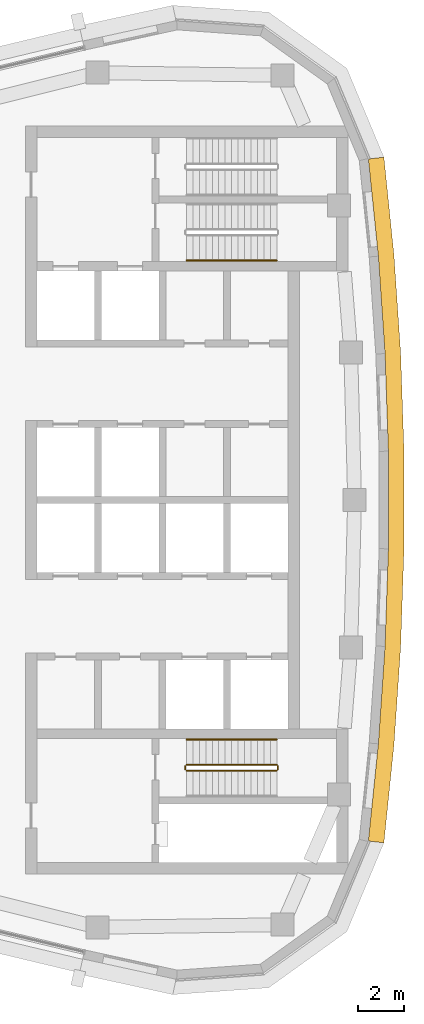
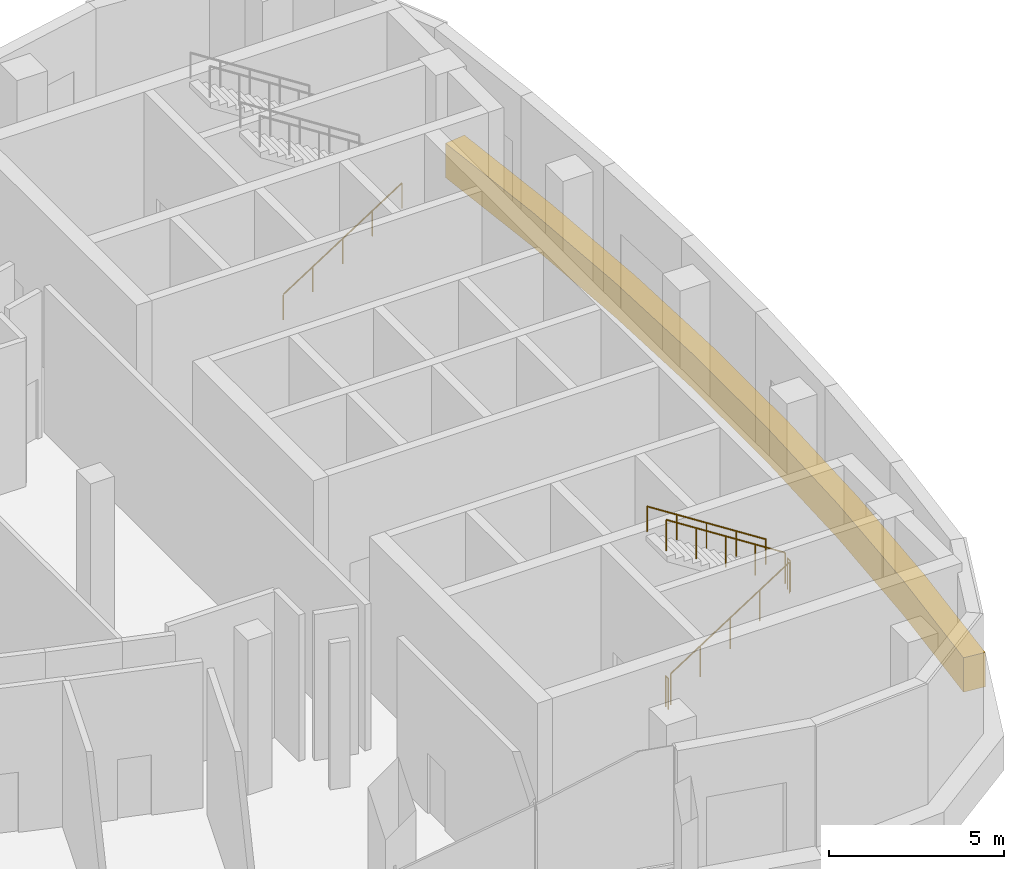
# One storey, part 12 of 15: 6 railings, 1 covering.
"""IFC4 building model written with IfcOpenShell, lengths in metres."""

from ifc_helpers import new_model, si_unit, direction, frame, origin, origin_2d, place, context, subcontext, project, spatial, polyline, circle, outline, extrude, material, layer, layer_set, type_object, element, save


model = new_model("IFC4")

# Units and contexts
model_context = context("Model", 3, precision=1e-05, world=origin(), true_north=direction((0.0, 1.0)))
body_context = subcontext(model_context, "Body", "Model", "MODEL_VIEW")
ifc_project = project(units=[si_unit("LENGTHUNIT", "METRE"), si_unit("AREAUNIT", "SQUARE_METRE"), si_unit("VOLUMEUNIT", "CUBIC_METRE"), si_unit("PLANEANGLEUNIT", "RADIAN"), si_unit("MASSUNIT", "GRAM", prefix="KILO")], contexts=[model_context])

# Site, building, storey
site_placement = place(None, origin())
site = spatial("IfcSite", under=ifc_project, at=site_placement, CompositionType="ELEMENT")
building_placement = place(site_placement, origin())
building = spatial("IfcBuilding", under=site, at=building_placement, Name="Ostrand Prow Hotel Tower", CompositionType="ELEMENT")
storey_placement = place(building_placement, frame((0.0, 0.0, 313.199951171875)))
storey = spatial("IfcBuildingStorey", under=building, at=storey_placement, Name="C2", CompositionType="ELEMENT", Elevation=313.199951171875)

# Covering
ifc_material_1 = material(Name="Bronze anodised aluminium cladding", Category="aluminium")
ifc_layer = layer(ifc_material_1, 0.60009765625)
ifc_layer_set = layer_set([ifc_layer], Name="Bronze anodised aluminium cladding")
covering_type = type_object("IfcCoveringType", Name="Bronze spandrel band 1200x600", PredefinedType="CLADDING", material=ifc_layer_set)
covering_placement = place(storey_placement, frame((0.0, 0.0, -0.300048828125)))
element("IfcCovering", 1, at=covering_placement, inside=storey, type_object=covering_type, Name="Spandrel band back 3", PredefinedType="CLADDING", context=body_context, shape_type="SweptSolid", body=[
    extrude(outline(polyline([(65.77197265625, -14.887451171875), (66.2080078125, -10.646240234375), (66.498779296875, -6.392822265625), (66.644287109375, -2.131591796875), (66.644287109375, 2.131591796875), (66.498779296875, 6.392822265625), (66.2080078125, 10.646240234375), (65.77197265625, 14.887451171875), (65.0966796875, 14.806396484375), (65.530517578125, 10.58837890625), (65.819580078125, 6.35791015625), (65.964599609375, 2.1201171875), (65.964599609375, -2.1201171875), (65.819580078125, -6.35791015625), (65.530517578125, -10.58837890625), (65.0966796875, -14.806396484375), (65.77197265625, -14.887451171875)])), origin(), (0.0, 0.0, 1.0), 1.2001953125),
])

# Railings
ifc_material_2 = material(Name="Painted steel", Category="steel")
railing_type_1 = type_object("IfcRailingType", Name="Stair guard 1100", PredefinedType="GUARDRAIL", material=ifc_material_2)
railing_1_placement = place(storey_placement, frame((57.199951171875, -11.75, 0.179931640625)))
element("IfcRailing", 2, at=railing_1_placement, inside=storey, type_object=railing_type_1, Name="C2 ST2C stair guard 1", PredefinedType="GUARDRAIL", context=body_context, shape_type="SweptSolid", body=[
    extrude(circle(Radius=0.02392578125, at=origin_2d()), frame((0.0, 0.0, 1.076171875), z_axis=(0.841186985886, 0.0, 0.540744352514), x_axis=(0.0, 1.0, 0.0)), (0.0, 0.0, 1.0), 4.660400390625),
    extrude(circle(Radius=0.02099609375, at=origin_2d()), origin(), (0.0, 0.0, 1.0), 1.052001953125),
    extrude(circle(Radius=0.02099609375, at=origin_2d()), frame((0.97998046875, 0.0, 0.6298828125)), (0.0, 0.0, 1.0), 1.052001953125),
    extrude(circle(Radius=0.02099609375, at=origin_2d()), frame((1.9599609375, 0.0, 1.260009765625)), (0.0, 0.0, 1.0), 1.052001953125),
    extrude(circle(Radius=0.02099609375, at=origin_2d()), frame((2.940185546875, 0.0, 1.89013671875)), (0.0, 0.0, 1.0), 1.052001953125),
    extrude(circle(Radius=0.02099609375, at=origin_2d()), frame((3.920166015625, 0.0, 2.52001953125)), (0.0, 0.0, 1.0), 1.052001953125),
])
railing_2_placement = place(storey_placement, frame((61.169921875, -11.699951171875, 2.699951171875)))
element("IfcRailing", 3, at=railing_2_placement, inside=storey, type_object=railing_type_1, Name="C2 ST2C stair guard 2", PredefinedType="GUARDRAIL", context=body_context, shape_type="SweptSolid", body=[
    extrude(circle(Radius=0.02392578125, at=origin_2d()), frame((0.0, 0.0, 1.076171875), z_axis=(0.0, 1.0, 0.0), x_axis=(-1.0, 0.0, 0.0)), (0.0, 0.0, 1.0), 0.14990234375),
    extrude(circle(Radius=0.02099609375, at=origin_2d()), origin(), (0.0, 0.0, 1.0), 1.052001953125),
    extrude(circle(Radius=0.02099609375, at=origin_2d()), frame((0.0, 0.14990234375, 0.0)), (0.0, 0.0, 1.0), 1.052001953125),
])
railing_3_placement = place(storey_placement, frame((61.1201171875, -11.5, 2.880126953125)))
element("IfcRailing", 4, at=railing_3_placement, inside=storey, type_object=railing_type_1, Name="C2 ST2C stair guard 3", PredefinedType="GUARDRAIL", context=body_context, shape_type="SweptSolid", body=[
    extrude(circle(Radius=0.02392578125, at=origin_2d()), frame((0.0, 0.0, 1.076171875), z_axis=(-0.841186985886, 0.0, 0.540744352514), x_axis=(0.0, -1.0, 0.0)), (0.0, 0.0, 1.0), 4.660400390625),
    extrude(circle(Radius=0.02099609375, at=origin_2d()), origin(), (0.0, 0.0, 1.0), 1.052001953125),
    extrude(circle(Radius=0.02099609375, at=origin_2d()), frame((-0.97998046875, 0.0, 0.6298828125)), (0.0, 0.0, 1.0), 1.052001953125),
    extrude(circle(Radius=0.02099609375, at=origin_2d()), frame((-1.9599609375, 0.0, 1.260009765625)), (0.0, 0.0, 1.0), 1.052001953125),
    extrude(circle(Radius=0.02099609375, at=origin_2d()), frame((-2.940185546875, 0.0, 1.89013671875)), (0.0, 0.0, 1.0), 1.052001953125),
    extrude(circle(Radius=0.02099609375, at=origin_2d()), frame((-3.920166015625, 0.0, 2.52001953125)), (0.0, 0.0, 1.0), 1.052001953125),
])
railing_4_placement = place(storey_placement, frame((57.14990234375, -11.699951171875, 0.0)))
element("IfcRailing", 5, at=railing_4_placement, inside=storey, type_object=railing_type_1, Name="C2 ST2C stair guard 4", PredefinedType="GUARDRAIL", context=body_context, shape_type="SweptSolid", body=[
    extrude(circle(Radius=0.02392578125, at=origin_2d()), frame((0.0, 0.0, 1.076171875), z_axis=(0.0, 1.0, 0.0), x_axis=(-1.0, 0.0, 0.0)), (0.0, 0.0, 1.0), 0.14990234375),
    extrude(circle(Radius=0.02099609375, at=origin_2d()), origin(), (0.0, 0.0, 1.0), 1.052001953125),
    extrude(circle(Radius=0.02099609375, at=origin_2d()), frame((0.0, 0.14990234375, 0.0)), (0.0, 0.0, 1.0), 1.052001953125),
])
ifc_material_3 = material(Name="Stainless steel", Category="steel")
railing_type_2 = type_object("IfcRailingType", Name="Stair handrail 900", PredefinedType="HANDRAIL", material=ifc_material_3)
railing_5_placement = place(storey_placement, frame((57.199951171875, 10.39990234375, 0.179931640625)))
element("IfcRailing", 6, at=railing_5_placement, inside=storey, type_object=railing_type_2, Name="C2 ST1C stair handrail 1", PredefinedType="HANDRAIL", context=body_context, shape_type="SweptSolid", body=[
    extrude(circle(Radius=0.02392578125, at=origin_2d()), frame((0.0, 0.0, 0.8759765625), z_axis=(0.841186985886, 0.0, 0.540744352514), x_axis=(0.0, 1.0, 0.0)), (0.0, 0.0, 1.0), 4.660400390625),
    extrude(circle(Radius=0.02099609375, at=origin_2d()), origin(), (0.0, 0.0, 1.0), 0.851806640625),
    extrude(circle(Radius=0.02099609375, at=origin_2d()), frame((0.97998046875, 0.0, 0.6298828125)), (0.0, 0.0, 1.0), 0.851806640625),
    extrude(circle(Radius=0.02099609375, at=origin_2d()), frame((1.9599609375, 0.0, 1.260009765625)), (0.0, 0.0, 1.0), 0.851806640625),
    extrude(circle(Radius=0.02099609375, at=origin_2d()), frame((2.940185546875, 0.0, 1.89013671875)), (0.0, 0.0, 1.0), 0.851806640625),
    extrude(circle(Radius=0.02099609375, at=origin_2d()), frame((3.920166015625, 0.0, 2.52001953125)), (0.0, 0.0, 1.0), 0.851806640625),
])
railing_6_placement = place(storey_placement, frame((61.1201171875, -10.39990234375, 2.880126953125)))
element("IfcRailing", 7, at=railing_6_placement, inside=storey, type_object=railing_type_2, Name="C2 ST2C stair handrail 2", PredefinedType="HANDRAIL", context=body_context, shape_type="SweptSolid", body=[
    extrude(circle(Radius=0.02392578125, at=origin_2d()), frame((0.0, 0.0, 0.8759765625), z_axis=(-0.841186985886, 0.0, 0.540744352514), x_axis=(0.0, -1.0, 0.0)), (0.0, 0.0, 1.0), 4.660400390625),
    extrude(circle(Radius=0.02099609375, at=origin_2d()), origin(), (0.0, 0.0, 1.0), 0.851806640625),
    extrude(circle(Radius=0.02099609375, at=origin_2d()), frame((-0.97998046875, 0.0, 0.6298828125)), (0.0, 0.0, 1.0), 0.851806640625),
    extrude(circle(Radius=0.02099609375, at=origin_2d()), frame((-1.9599609375, 0.0, 1.260009765625)), (0.0, 0.0, 1.0), 0.851806640625),
    extrude(circle(Radius=0.02099609375, at=origin_2d()), frame((-2.940185546875, 0.0, 1.89013671875)), (0.0, 0.0, 1.0), 0.851806640625),
    extrude(circle(Radius=0.02099609375, at=origin_2d()), frame((-3.920166015625, 0.0, 2.52001953125)), (0.0, 0.0, 1.0), 0.851806640625),
])

save(model, "model.ifc")
